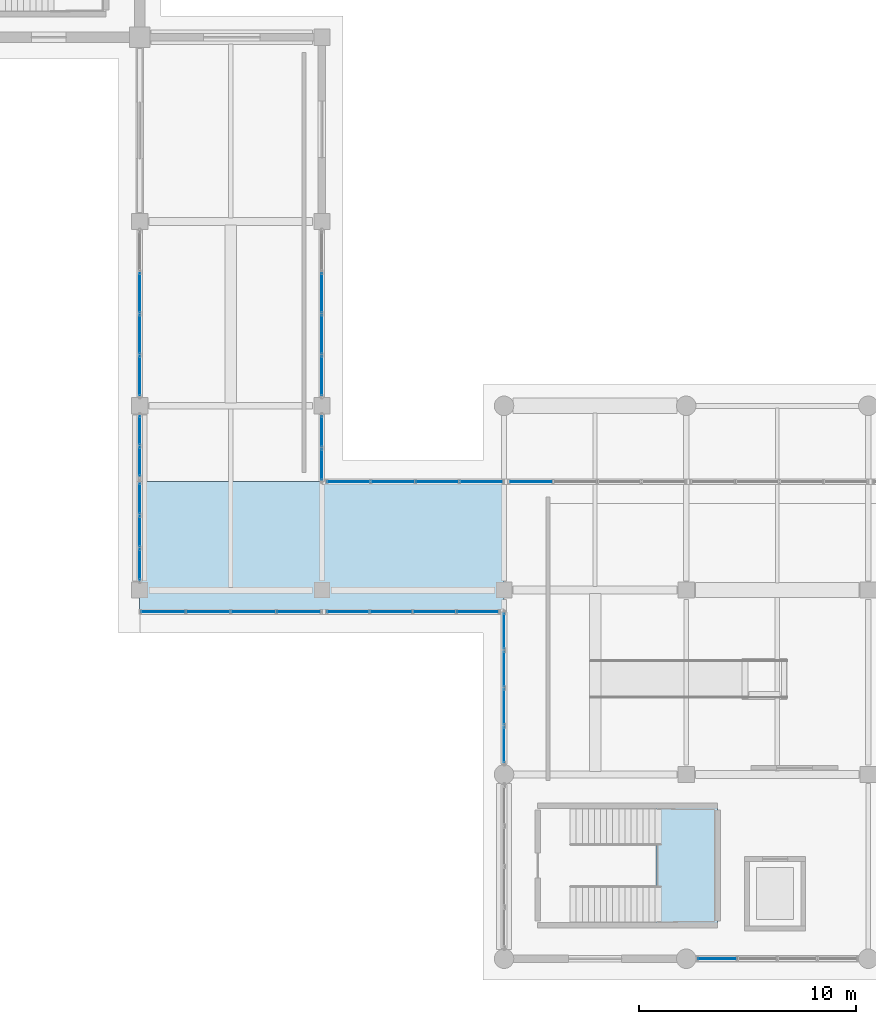
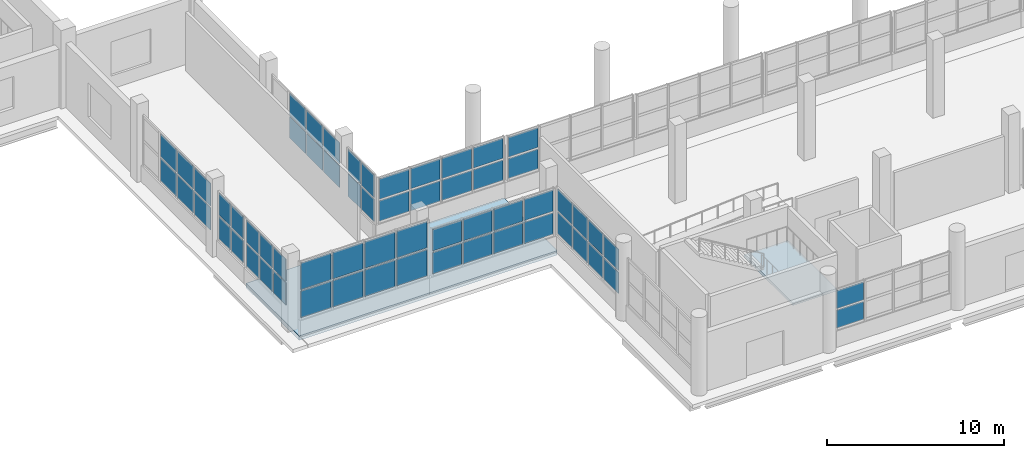
# One storey, part 80 of 107: 62 plates, 2 slabs, 12 elements without a shape of their own.
"""IFC4 building model written with IfcOpenShell, lengths in metres."""

from ifc_helpers import new_model, si_unit, direction, frame, origin, origin_2d, place, context, subcontext, project, spatial, polyline, rectangle, outline, extrude, material, layer, layer_set, type_object, element, aggregate, save


model = new_model("IFC4")

# Units and contexts
model_context = context("Model", 3, precision=1e-05, world=origin(), true_north=direction((0.0, 1.0)))
body_context = subcontext(model_context, "Body", "Model", "MODEL_VIEW")
ifc_project = project(units=[si_unit("LENGTHUNIT", "METRE"), si_unit("AREAUNIT", "SQUARE_METRE"), si_unit("VOLUMEUNIT", "CUBIC_METRE"), si_unit("PLANEANGLEUNIT", "RADIAN"), si_unit("MASSUNIT", "GRAM", prefix="KILO")], contexts=[model_context])

# Site, building, storey
site_placement = place(None, origin())
site = spatial("IfcSite", under=ifc_project, at=site_placement, CompositionType="ELEMENT")
building_placement = place(site_placement, origin())
building = spatial("IfcBuilding", under=site, at=building_placement, Name="Solvento Point Concert Hall", CompositionType="ELEMENT")
storey_placement = place(building_placement, origin())
storey = spatial("IfcBuildingStorey", under=building, at=storey_placement, Name="L00", CompositionType="ELEMENT", Elevation=0.0)

# Curtain wall, plates
ifc_material_1 = material(Name="Anodized Bronze Aluminium", Category="aluminium")
curtain_wall_type = type_object("IfcCurtainWallType", Name="CurtainWall_CafeVeranda", PredefinedType="USERDEFINED", material=ifc_material_1)
curtain_wall_1_placement = place(storey_placement, origin())
curtain_wall_1 = element("IfcCurtainWall", 1, at=curtain_wall_1_placement, inside=storey, type_object=curtain_wall_type, Name="Unitised curtain wall CW-42 UCW-L00-036", ObjectType="UNITISED CURTAIN WALL", PredefinedType="USERDEFINED")
ifc_material_2 = material(Name="Hurricane Laminated Low-E Glass", Category="glass")
plate_type = type_object("IfcPlateType", Name="CurtainPanel_CafeVeranda", PredefinedType="CURTAIN_PANEL", material=ifc_material_2)
plate_1_placement = place(storey_placement, frame((141.60009765625, 22.791259765625, 1.23974609375), z_axis=(0.0, 0.0, 1.0), x_axis=(0.0, 1.0, 0.0)))
plate_1 = element("IfcPlate", 2, at=plate_1_placement, type_object=plate_type, Name="Glazed curtain panel GL-04", PredefinedType="CURTAIN_PANEL", context=body_context, shape_type="SweptSolid", body=[
    extrude(rectangle(XDim=1.402587890625, YDim=0.0400390625, at=origin_2d()), origin(), (0.0, 0.0, 1.0), 1.547607421875),
])
plate_2_placement = place(storey_placement, frame((141.60009765625, 22.791259765625, 2.90771484375), z_axis=(0.0, 0.0, 1.0), x_axis=(0.0, 1.0, 0.0)))
plate_2 = element("IfcPlate", 3, at=plate_2_placement, type_object=plate_type, Name="Glazed curtain panel GL-04", PredefinedType="CURTAIN_PANEL", context=body_context, shape_type="SweptSolid", body=[
    extrude(rectangle(XDim=1.402587890625, YDim=0.0400390625, at=origin_2d()), origin(), (0.0, 0.0, 1.0), 1.547607421875),
])
plate_3_placement = place(storey_placement, frame((141.60009765625, 24.313720703125, 1.23974609375), z_axis=(0.0, 0.0, 1.0), x_axis=(0.0, 1.0, 0.0)))
plate_3 = element("IfcPlate", 4, at=plate_3_placement, type_object=plate_type, Name="Glazed curtain panel GL-04", PredefinedType="CURTAIN_PANEL", context=body_context, shape_type="SweptSolid", body=[
    extrude(rectangle(XDim=1.402587890625, YDim=0.0400390625, at=origin_2d()), origin(), (0.0, 0.0, 1.0), 1.547607421875),
])
plate_4_placement = place(storey_placement, frame((141.60009765625, 24.313720703125, 2.90771484375), z_axis=(0.0, 0.0, 1.0), x_axis=(0.0, 1.0, 0.0)))
plate_4 = element("IfcPlate", 5, at=plate_4_placement, type_object=plate_type, Name="Glazed curtain panel GL-04", PredefinedType="CURTAIN_PANEL", context=body_context, shape_type="SweptSolid", body=[
    extrude(rectangle(XDim=1.402587890625, YDim=0.0400390625, at=origin_2d()), origin(), (0.0, 0.0, 1.0), 1.547607421875),
])
aggregate(curtain_wall_1, [plate_1, plate_2, plate_3, plate_4])

curtain_wall_2_placement = place(storey_placement, origin())
curtain_wall_2 = element("IfcCurtainWall", 6, at=curtain_wall_2_placement, inside=storey, type_object=curtain_wall_type, Name="Unitised curtain wall CW-42 UCW-L00-037", ObjectType="UNITISED CURTAIN WALL", PredefinedType="USERDEFINED")
plate_5_placement = place(storey_placement, frame((141.60009765625, 26.88134765625, 1.239990234375), z_axis=(0.0, 0.0, 1.0), x_axis=(0.0, 1.0, 0.0)))
plate_5 = element("IfcPlate", 7, at=plate_5_placement, type_object=plate_type, Name="Glazed curtain panel GL-04", PredefinedType="CURTAIN_PANEL", context=body_context, shape_type="SweptSolid", body=[
    extrude(rectangle(XDim=1.79248046875, YDim=0.0400390625, at=origin_2d()), origin(), (0.0, 0.0, 1.0), 1.4755859375),
])
plate_6_placement = place(storey_placement, frame((141.60009765625, 26.88134765625, 2.83544921875), z_axis=(0.0, 0.0, 1.0), x_axis=(0.0, 1.0, 0.0)))
plate_6 = element("IfcPlate", 8, at=plate_6_placement, type_object=plate_type, Name="Glazed curtain panel GL-04", PredefinedType="CURTAIN_PANEL", context=body_context, shape_type="SweptSolid", body=[
    extrude(rectangle(XDim=1.79248046875, YDim=0.0400390625, at=origin_2d()), origin(), (0.0, 0.0, 1.0), 1.4755859375),
])
plate_7_placement = place(storey_placement, frame((141.60009765625, 28.793701171875, 1.239990234375), z_axis=(0.0, 0.0, 1.0), x_axis=(0.0, 1.0, 0.0)))
plate_7 = element("IfcPlate", 9, at=plate_7_placement, type_object=plate_type, Name="Glazed curtain panel GL-04", PredefinedType="CURTAIN_PANEL", context=body_context, shape_type="SweptSolid", body=[
    extrude(rectangle(XDim=1.79248046875, YDim=0.0400390625, at=origin_2d()), origin(), (0.0, 0.0, 1.0), 1.4755859375),
])
plate_8_placement = place(storey_placement, frame((141.60009765625, 28.793701171875, 2.83544921875), z_axis=(0.0, 0.0, 1.0), x_axis=(0.0, 1.0, 0.0)))
plate_8 = element("IfcPlate", 10, at=plate_8_placement, type_object=plate_type, Name="Glazed curtain panel GL-04", PredefinedType="CURTAIN_PANEL", context=body_context, shape_type="SweptSolid", body=[
    extrude(rectangle(XDim=1.79248046875, YDim=0.0400390625, at=origin_2d()), origin(), (0.0, 0.0, 1.0), 1.4755859375),
])
plate_9_placement = place(storey_placement, frame((141.60009765625, 30.706298828125, 1.239990234375), z_axis=(0.0, 0.0, 1.0), x_axis=(0.0, 1.0, 0.0)))
plate_9 = element("IfcPlate", 11, at=plate_9_placement, type_object=plate_type, Name="Glazed curtain panel GL-04", PredefinedType="CURTAIN_PANEL", context=body_context, shape_type="SweptSolid", body=[
    extrude(rectangle(XDim=1.79248046875, YDim=0.0400390625, at=origin_2d()), origin(), (0.0, 0.0, 1.0), 1.4755859375),
])
plate_10_placement = place(storey_placement, frame((141.60009765625, 30.706298828125, 2.83544921875), z_axis=(0.0, 0.0, 1.0), x_axis=(0.0, 1.0, 0.0)))
plate_10 = element("IfcPlate", 12, at=plate_10_placement, type_object=plate_type, Name="Glazed curtain panel GL-04", PredefinedType="CURTAIN_PANEL", context=body_context, shape_type="SweptSolid", body=[
    extrude(rectangle(XDim=1.79248046875, YDim=0.0400390625, at=origin_2d()), origin(), (0.0, 0.0, 1.0), 1.4755859375),
])
aggregate(curtain_wall_2, [plate_5, plate_6, plate_7, plate_8, plate_9, plate_10])

curtain_wall_3_placement = place(storey_placement, origin())
curtain_wall_3 = element("IfcCurtainWall", 13, at=curtain_wall_3_placement, inside=storey, type_object=curtain_wall_type, Name="Unitised curtain wall CW-42 UCW-L00-038", ObjectType="UNITISED CURTAIN WALL", PredefinedType="USERDEFINED")
plate_11_placement = place(storey_placement, frame((142.8388671875, 22.0, 1.239990234375), z_axis=(0.0, 0.0, 1.0), x_axis=(1.0, 0.0, 0.0)))
plate_11 = element("IfcPlate", 14, at=plate_11_placement, type_object=plate_type, Name="Glazed curtain panel GL-04", PredefinedType="CURTAIN_PANEL", context=body_context, shape_type="SweptSolid", body=[
    extrude(rectangle(XDim=1.91748046875, YDim=0.0400390625, at=origin_2d()), origin(), (0.0, 0.0, 1.0), 1.3955078125),
])
plate_12_placement = place(storey_placement, frame((142.8388671875, 22.0, 2.75537109375), z_axis=(0.0, 0.0, 1.0), x_axis=(1.0, 0.0, 0.0)))
plate_12 = element("IfcPlate", 15, at=plate_12_placement, type_object=plate_type, Name="Glazed curtain panel GL-04", PredefinedType="CURTAIN_PANEL", context=body_context, shape_type="SweptSolid", body=[
    extrude(rectangle(XDim=1.91748046875, YDim=0.0400390625, at=origin_2d()), origin(), (0.0, 0.0, 1.0), 1.3955078125),
])
plate_13_placement = place(storey_placement, frame((144.876220703125, 22.0, 1.239990234375), z_axis=(0.0, 0.0, 1.0), x_axis=(1.0, 0.0, 0.0)))
plate_13 = element("IfcPlate", 16, at=plate_13_placement, type_object=plate_type, Name="Glazed curtain panel GL-04", PredefinedType="CURTAIN_PANEL", context=body_context, shape_type="SweptSolid", body=[
    extrude(rectangle(XDim=1.91748046875, YDim=0.0400390625, at=origin_2d()), origin(), (0.0, 0.0, 1.0), 1.3955078125),
])
plate_14_placement = place(storey_placement, frame((144.876220703125, 22.0, 2.75537109375), z_axis=(0.0, 0.0, 1.0), x_axis=(1.0, 0.0, 0.0)))
plate_14 = element("IfcPlate", 17, at=plate_14_placement, type_object=plate_type, Name="Glazed curtain panel GL-04", PredefinedType="CURTAIN_PANEL", context=body_context, shape_type="SweptSolid", body=[
    extrude(rectangle(XDim=1.91748046875, YDim=0.0400390625, at=origin_2d()), origin(), (0.0, 0.0, 1.0), 1.3955078125),
])
plate_15_placement = place(storey_placement, frame((146.913818359375, 22.0, 1.239990234375), z_axis=(0.0, 0.0, 1.0), x_axis=(1.0, 0.0, 0.0)))
plate_15 = element("IfcPlate", 18, at=plate_15_placement, type_object=plate_type, Name="Glazed curtain panel GL-04", PredefinedType="CURTAIN_PANEL", context=body_context, shape_type="SweptSolid", body=[
    extrude(rectangle(XDim=1.91748046875, YDim=0.0400390625, at=origin_2d()), origin(), (0.0, 0.0, 1.0), 1.3955078125),
])
plate_16_placement = place(storey_placement, frame((146.913818359375, 22.0, 2.75537109375), z_axis=(0.0, 0.0, 1.0), x_axis=(1.0, 0.0, 0.0)))
plate_16 = element("IfcPlate", 19, at=plate_16_placement, type_object=plate_type, Name="Glazed curtain panel GL-04", PredefinedType="CURTAIN_PANEL", context=body_context, shape_type="SweptSolid", body=[
    extrude(rectangle(XDim=1.91748046875, YDim=0.0400390625, at=origin_2d()), origin(), (0.0, 0.0, 1.0), 1.3955078125),
])
plate_17_placement = place(storey_placement, frame((148.951171875, 22.0, 1.239990234375), z_axis=(0.0, 0.0, 1.0), x_axis=(1.0, 0.0, 0.0)))
plate_17 = element("IfcPlate", 20, at=plate_17_placement, type_object=plate_type, Name="Glazed curtain panel GL-04", PredefinedType="CURTAIN_PANEL", context=body_context, shape_type="SweptSolid", body=[
    extrude(rectangle(XDim=1.91748046875, YDim=0.0400390625, at=origin_2d()), origin(), (0.0, 0.0, 1.0), 1.3955078125),
])
plate_18_placement = place(storey_placement, frame((148.951171875, 22.0, 2.75537109375), z_axis=(0.0, 0.0, 1.0), x_axis=(1.0, 0.0, 0.0)))
plate_18 = element("IfcPlate", 21, at=plate_18_placement, type_object=plate_type, Name="Glazed curtain panel GL-04", PredefinedType="CURTAIN_PANEL", context=body_context, shape_type="SweptSolid", body=[
    extrude(rectangle(XDim=1.91748046875, YDim=0.0400390625, at=origin_2d()), origin(), (0.0, 0.0, 1.0), 1.3955078125),
])
aggregate(curtain_wall_3, [plate_11, plate_12, plate_13, plate_14, plate_15, plate_16, plate_17, plate_18])

curtain_wall_4_placement = place(storey_placement, origin())
curtain_wall_4 = element("IfcCurtainWall", 22, at=curtain_wall_4_placement, inside=storey, type_object=curtain_wall_type, Name="Unitised curtain wall CW-42 UCW-L00-039", ObjectType="UNITISED CURTAIN WALL", PredefinedType="USERDEFINED")
plate_19_placement = place(storey_placement, frame((151.23876953125, 22.0, 1.239990234375), z_axis=(0.0, 0.0, 1.0), x_axis=(1.0, 0.0, 0.0)))
plate_19 = element("IfcPlate", 23, at=plate_19_placement, type_object=plate_type, Name="Glazed curtain panel GL-04", PredefinedType="CURTAIN_PANEL", context=body_context, shape_type="SweptSolid", body=[
    extrude(rectangle(XDim=1.91748046875, YDim=0.0400390625, at=origin_2d()), origin(), (0.0, 0.0, 1.0), 1.35693359375),
])
plate_20_placement = place(storey_placement, frame((151.23876953125, 22.0, 2.717041015625), z_axis=(0.0, 0.0, 1.0), x_axis=(1.0, 0.0, 0.0)))
plate_20 = element("IfcPlate", 24, at=plate_20_placement, type_object=plate_type, Name="Glazed curtain panel GL-04", PredefinedType="CURTAIN_PANEL", context=body_context, shape_type="SweptSolid", body=[
    extrude(rectangle(XDim=1.91748046875, YDim=0.0400390625, at=origin_2d()), origin(), (0.0, 0.0, 1.0), 1.35693359375),
])
aggregate(curtain_wall_4, [plate_19, plate_20])

curtain_wall_5_placement = place(storey_placement, origin())
curtain_wall_5 = element("IfcCurtainWall", 25, at=curtain_wall_5_placement, inside=storey, type_object=curtain_wall_type, Name="Unitised curtain wall CW-42 UCW-L00-049", ObjectType="UNITISED CURTAIN WALL", PredefinedType="USERDEFINED")
plate_21_placement = place(storey_placement, frame((159.824951171875, 0.0, 1.239990234375), z_axis=(0.0, 0.0, 1.0), x_axis=(1.0, 0.0, 0.0)))
plate_21 = element("IfcPlate", 26, at=plate_21_placement, type_object=plate_type, Name="Glazed curtain panel GL-04", PredefinedType="CURTAIN_PANEL", context=body_context, shape_type="SweptSolid", body=[
    extrude(rectangle(XDim=1.72998046875, YDim=0.0400390625, at=origin_2d()), origin(), (0.0, 0.0, 1.0), 1.22900390625),
])
plate_22_placement = place(storey_placement, frame((159.824951171875, 0.0, 2.589111328125), z_axis=(0.0, 0.0, 1.0), x_axis=(1.0, 0.0, 0.0)))
plate_22 = element("IfcPlate", 27, at=plate_22_placement, type_object=plate_type, Name="Glazed curtain panel GL-04", PredefinedType="CURTAIN_PANEL", context=body_context, shape_type="SweptSolid", body=[
    extrude(rectangle(XDim=1.72998046875, YDim=0.0400390625, at=origin_2d()), origin(), (0.0, 0.0, 1.0), 1.22900390625),
])
aggregate(curtain_wall_5, [plate_21, plate_22])

curtain_wall_6_placement = place(storey_placement, origin())
curtain_wall_6 = element("IfcCurtainWall", 28, at=curtain_wall_6_placement, inside=storey, type_object=curtain_wall_type, Name="Unitised curtain wall CW-42 UCW-L00-053", ObjectType="UNITISED CURTAIN WALL", PredefinedType="USERDEFINED")
plate_23_placement = place(storey_placement, frame((150.0, 9.87109375, 1.240234375), z_axis=(0.0, 0.0, 1.0), x_axis=(0.0, 1.0, 0.0)))
plate_23 = element("IfcPlate", 29, at=plate_23_placement, type_object=plate_type, Name="Glazed curtain panel GL-04", PredefinedType="CURTAIN_PANEL", context=body_context, shape_type="SweptSolid", body=[
    extrude(rectangle(XDim=1.62255859375, YDim=0.0400390625, at=origin_2d()), origin(), (0.0, 0.0, 1.0), 1.467529296875),
])
plate_24_placement = place(storey_placement, frame((150.0, 9.87109375, 2.82763671875), z_axis=(0.0, 0.0, 1.0), x_axis=(0.0, 1.0, 0.0)))
plate_24 = element("IfcPlate", 30, at=plate_24_placement, type_object=plate_type, Name="Glazed curtain panel GL-04", PredefinedType="CURTAIN_PANEL", context=body_context, shape_type="SweptSolid", body=[
    extrude(rectangle(XDim=1.62255859375, YDim=0.0400390625, at=origin_2d()), origin(), (0.0, 0.0, 1.0), 1.467529296875),
])
plate_25_placement = place(storey_placement, frame((150.0, 11.61376953125, 1.240234375), z_axis=(0.0, 0.0, 1.0), x_axis=(0.0, 1.0, 0.0)))
plate_25 = element("IfcPlate", 31, at=plate_25_placement, type_object=plate_type, Name="Glazed curtain panel GL-04", PredefinedType="CURTAIN_PANEL", context=body_context, shape_type="SweptSolid", body=[
    extrude(rectangle(XDim=1.62255859375, YDim=0.0400390625, at=origin_2d()), origin(), (0.0, 0.0, 1.0), 1.467529296875),
])
plate_26_placement = place(storey_placement, frame((150.0, 11.61376953125, 2.82763671875), z_axis=(0.0, 0.0, 1.0), x_axis=(0.0, 1.0, 0.0)))
plate_26 = element("IfcPlate", 32, at=plate_26_placement, type_object=plate_type, Name="Glazed curtain panel GL-04", PredefinedType="CURTAIN_PANEL", context=body_context, shape_type="SweptSolid", body=[
    extrude(rectangle(XDim=1.62255859375, YDim=0.0400390625, at=origin_2d()), origin(), (0.0, 0.0, 1.0), 1.467529296875),
])
plate_27_placement = place(storey_placement, frame((150.0, 13.356201171875, 1.240234375), z_axis=(0.0, 0.0, 1.0), x_axis=(0.0, 1.0, 0.0)))
plate_27 = element("IfcPlate", 33, at=plate_27_placement, type_object=plate_type, Name="Glazed curtain panel GL-04", PredefinedType="CURTAIN_PANEL", context=body_context, shape_type="SweptSolid", body=[
    extrude(rectangle(XDim=1.62255859375, YDim=0.0400390625, at=origin_2d()), origin(), (0.0, 0.0, 1.0), 1.467529296875),
])
plate_28_placement = place(storey_placement, frame((150.0, 13.356201171875, 2.82763671875), z_axis=(0.0, 0.0, 1.0), x_axis=(0.0, 1.0, 0.0)))
plate_28 = element("IfcPlate", 34, at=plate_28_placement, type_object=plate_type, Name="Glazed curtain panel GL-04", PredefinedType="CURTAIN_PANEL", context=body_context, shape_type="SweptSolid", body=[
    extrude(rectangle(XDim=1.62255859375, YDim=0.0400390625, at=origin_2d()), origin(), (0.0, 0.0, 1.0), 1.467529296875),
])
plate_29_placement = place(storey_placement, frame((150.0, 15.098876953125, 1.240234375), z_axis=(0.0, 0.0, 1.0), x_axis=(0.0, 1.0, 0.0)))
plate_29 = element("IfcPlate", 35, at=plate_29_placement, type_object=plate_type, Name="Glazed curtain panel GL-04", PredefinedType="CURTAIN_PANEL", context=body_context, shape_type="SweptSolid", body=[
    extrude(rectangle(XDim=1.62255859375, YDim=0.0400390625, at=origin_2d()), origin(), (0.0, 0.0, 1.0), 1.467529296875),
])
plate_30_placement = place(storey_placement, frame((150.0, 15.098876953125, 2.82763671875), z_axis=(0.0, 0.0, 1.0), x_axis=(0.0, 1.0, 0.0)))
plate_30 = element("IfcPlate", 36, at=plate_30_placement, type_object=plate_type, Name="Glazed curtain panel GL-04", PredefinedType="CURTAIN_PANEL", context=body_context, shape_type="SweptSolid", body=[
    extrude(rectangle(XDim=1.62255859375, YDim=0.0400390625, at=origin_2d()), origin(), (0.0, 0.0, 1.0), 1.467529296875),
])
aggregate(curtain_wall_6, [plate_23, plate_24, plate_25, plate_26, plate_27, plate_28, plate_29, plate_30])

curtain_wall_7_placement = place(storey_placement, origin())
curtain_wall_7 = element("IfcCurtainWall", 37, at=curtain_wall_7_placement, inside=storey, type_object=curtain_wall_type, Name="Unitised curtain wall CW-42 UCW-L00-054", ObjectType="UNITISED CURTAIN WALL", PredefinedType="USERDEFINED")
plate_31_placement = place(storey_placement, frame((134.2724609375, 16.0, 1.23974609375), z_axis=(0.0, 0.0, 1.0), x_axis=(1.0, 0.0, 0.0)))
plate_31 = element("IfcPlate", 38, at=plate_31_placement, type_object=plate_type, Name="Glazed curtain panel GL-04", PredefinedType="CURTAIN_PANEL", context=body_context, shape_type="SweptSolid", body=[
    extrude(rectangle(XDim=1.965087890625, YDim=0.0400390625, at=origin_2d()), origin(), (0.0, 0.0, 1.0), 1.820068359375),
])
plate_32_placement = place(storey_placement, frame((134.2724609375, 16.0, 3.18017578125), z_axis=(0.0, 0.0, 1.0), x_axis=(1.0, 0.0, 0.0)))
plate_32 = element("IfcPlate", 39, at=plate_32_placement, type_object=plate_type, Name="Glazed curtain panel GL-04", PredefinedType="CURTAIN_PANEL", context=body_context, shape_type="SweptSolid", body=[
    extrude(rectangle(XDim=1.965087890625, YDim=0.0400390625, at=origin_2d()), origin(), (0.0, 0.0, 1.0), 1.820068359375),
])
plate_33_placement = place(storey_placement, frame((136.357421875, 16.0, 1.23974609375), z_axis=(0.0, 0.0, 1.0), x_axis=(1.0, 0.0, 0.0)))
plate_33 = element("IfcPlate", 40, at=plate_33_placement, type_object=plate_type, Name="Glazed curtain panel GL-04", PredefinedType="CURTAIN_PANEL", context=body_context, shape_type="SweptSolid", body=[
    extrude(rectangle(XDim=1.965087890625, YDim=0.0400390625, at=origin_2d()), origin(), (0.0, 0.0, 1.0), 1.820068359375),
])
plate_34_placement = place(storey_placement, frame((136.357421875, 16.0, 3.18017578125), z_axis=(0.0, 0.0, 1.0), x_axis=(1.0, 0.0, 0.0)))
plate_34 = element("IfcPlate", 41, at=plate_34_placement, type_object=plate_type, Name="Glazed curtain panel GL-04", PredefinedType="CURTAIN_PANEL", context=body_context, shape_type="SweptSolid", body=[
    extrude(rectangle(XDim=1.965087890625, YDim=0.0400390625, at=origin_2d()), origin(), (0.0, 0.0, 1.0), 1.820068359375),
])
plate_35_placement = place(storey_placement, frame((138.4423828125, 16.0, 1.23974609375), z_axis=(0.0, 0.0, 1.0), x_axis=(1.0, 0.0, 0.0)))
plate_35 = element("IfcPlate", 42, at=plate_35_placement, type_object=plate_type, Name="Glazed curtain panel GL-04", PredefinedType="CURTAIN_PANEL", context=body_context, shape_type="SweptSolid", body=[
    extrude(rectangle(XDim=1.965087890625, YDim=0.0400390625, at=origin_2d()), origin(), (0.0, 0.0, 1.0), 1.820068359375),
])
plate_36_placement = place(storey_placement, frame((138.4423828125, 16.0, 3.18017578125), z_axis=(0.0, 0.0, 1.0), x_axis=(1.0, 0.0, 0.0)))
plate_36 = element("IfcPlate", 43, at=plate_36_placement, type_object=plate_type, Name="Glazed curtain panel GL-04", PredefinedType="CURTAIN_PANEL", context=body_context, shape_type="SweptSolid", body=[
    extrude(rectangle(XDim=1.965087890625, YDim=0.0400390625, at=origin_2d()), origin(), (0.0, 0.0, 1.0), 1.820068359375),
])
plate_37_placement = place(storey_placement, frame((140.527587890625, 16.0, 1.23974609375), z_axis=(0.0, 0.0, 1.0), x_axis=(1.0, 0.0, 0.0)))
plate_37 = element("IfcPlate", 44, at=plate_37_placement, type_object=plate_type, Name="Glazed curtain panel GL-04", PredefinedType="CURTAIN_PANEL", context=body_context, shape_type="SweptSolid", body=[
    extrude(rectangle(XDim=1.965087890625, YDim=0.0400390625, at=origin_2d()), origin(), (0.0, 0.0, 1.0), 1.820068359375),
])
plate_38_placement = place(storey_placement, frame((140.527587890625, 16.0, 3.18017578125), z_axis=(0.0, 0.0, 1.0), x_axis=(1.0, 0.0, 0.0)))
plate_38 = element("IfcPlate", 45, at=plate_38_placement, type_object=plate_type, Name="Glazed curtain panel GL-04", PredefinedType="CURTAIN_PANEL", context=body_context, shape_type="SweptSolid", body=[
    extrude(rectangle(XDim=1.965087890625, YDim=0.0400390625, at=origin_2d()), origin(), (0.0, 0.0, 1.0), 1.820068359375),
])
aggregate(curtain_wall_7, [plate_31, plate_32, plate_33, plate_34, plate_35, plate_36, plate_37, plate_38])

curtain_wall_8_placement = place(storey_placement, origin())
curtain_wall_8 = element("IfcCurtainWall", 46, at=curtain_wall_8_placement, inside=storey, type_object=curtain_wall_type, Name="Unitised curtain wall CW-42 UCW-L00-055", ObjectType="UNITISED CURTAIN WALL", PredefinedType="USERDEFINED")
plate_39_placement = place(storey_placement, frame((142.81494140625, 16.0, 1.240234375), z_axis=(0.0, 0.0, 1.0), x_axis=(1.0, 0.0, 0.0)))
plate_39 = element("IfcPlate", 47, at=plate_39_placement, type_object=plate_type, Name="Glazed curtain panel GL-04", PredefinedType="CURTAIN_PANEL", context=body_context, shape_type="SweptSolid", body=[
    extrude(rectangle(XDim=1.8701171875, YDim=0.0400390625, at=origin_2d()), origin(), (0.0, 0.0, 1.0), 1.467529296875),
])
plate_40_placement = place(storey_placement, frame((142.81494140625, 16.0, 2.82763671875), z_axis=(0.0, 0.0, 1.0), x_axis=(1.0, 0.0, 0.0)))
plate_40 = element("IfcPlate", 48, at=plate_40_placement, type_object=plate_type, Name="Glazed curtain panel GL-04", PredefinedType="CURTAIN_PANEL", context=body_context, shape_type="SweptSolid", body=[
    extrude(rectangle(XDim=1.8701171875, YDim=0.0400390625, at=origin_2d()), origin(), (0.0, 0.0, 1.0), 1.467529296875),
])
plate_41_placement = place(storey_placement, frame((144.804931640625, 16.0, 1.240234375), z_axis=(0.0, 0.0, 1.0), x_axis=(1.0, 0.0, 0.0)))
plate_41 = element("IfcPlate", 49, at=plate_41_placement, type_object=plate_type, Name="Glazed curtain panel GL-04", PredefinedType="CURTAIN_PANEL", context=body_context, shape_type="SweptSolid", body=[
    extrude(rectangle(XDim=1.8701171875, YDim=0.0400390625, at=origin_2d()), origin(), (0.0, 0.0, 1.0), 1.467529296875),
])
plate_42_placement = place(storey_placement, frame((144.804931640625, 16.0, 2.82763671875), z_axis=(0.0, 0.0, 1.0), x_axis=(1.0, 0.0, 0.0)))
plate_42 = element("IfcPlate", 50, at=plate_42_placement, type_object=plate_type, Name="Glazed curtain panel GL-04", PredefinedType="CURTAIN_PANEL", context=body_context, shape_type="SweptSolid", body=[
    extrude(rectangle(XDim=1.8701171875, YDim=0.0400390625, at=origin_2d()), origin(), (0.0, 0.0, 1.0), 1.467529296875),
])
plate_43_placement = place(storey_placement, frame((146.794921875, 16.0, 1.240234375), z_axis=(0.0, 0.0, 1.0), x_axis=(1.0, 0.0, 0.0)))
plate_43 = element("IfcPlate", 51, at=plate_43_placement, type_object=plate_type, Name="Glazed curtain panel GL-04", PredefinedType="CURTAIN_PANEL", context=body_context, shape_type="SweptSolid", body=[
    extrude(rectangle(XDim=1.8701171875, YDim=0.0400390625, at=origin_2d()), origin(), (0.0, 0.0, 1.0), 1.467529296875),
])
plate_44_placement = place(storey_placement, frame((146.794921875, 16.0, 2.82763671875), z_axis=(0.0, 0.0, 1.0), x_axis=(1.0, 0.0, 0.0)))
plate_44 = element("IfcPlate", 52, at=plate_44_placement, type_object=plate_type, Name="Glazed curtain panel GL-04", PredefinedType="CURTAIN_PANEL", context=body_context, shape_type="SweptSolid", body=[
    extrude(rectangle(XDim=1.8701171875, YDim=0.0400390625, at=origin_2d()), origin(), (0.0, 0.0, 1.0), 1.467529296875),
])
plate_45_placement = place(storey_placement, frame((148.784912109375, 16.0, 1.240234375), z_axis=(0.0, 0.0, 1.0), x_axis=(1.0, 0.0, 0.0)))
plate_45 = element("IfcPlate", 53, at=plate_45_placement, type_object=plate_type, Name="Glazed curtain panel GL-04", PredefinedType="CURTAIN_PANEL", context=body_context, shape_type="SweptSolid", body=[
    extrude(rectangle(XDim=1.8701171875, YDim=0.0400390625, at=origin_2d()), origin(), (0.0, 0.0, 1.0), 1.467529296875),
])
plate_46_placement = place(storey_placement, frame((148.784912109375, 16.0, 2.82763671875), z_axis=(0.0, 0.0, 1.0), x_axis=(1.0, 0.0, 0.0)))
plate_46 = element("IfcPlate", 54, at=plate_46_placement, type_object=plate_type, Name="Glazed curtain panel GL-04", PredefinedType="CURTAIN_PANEL", context=body_context, shape_type="SweptSolid", body=[
    extrude(rectangle(XDim=1.8701171875, YDim=0.0400390625, at=origin_2d()), origin(), (0.0, 0.0, 1.0), 1.467529296875),
])
aggregate(curtain_wall_8, [plate_39, plate_40, plate_41, plate_42, plate_43, plate_44, plate_45, plate_46])

curtain_wall_9_placement = place(storey_placement, origin())
curtain_wall_9 = element("IfcCurtainWall", 55, at=curtain_wall_9_placement, inside=storey, type_object=curtain_wall_type, Name="Unitised curtain wall CW-42 UCW-L00-056", ObjectType="UNITISED CURTAIN WALL", PredefinedType="USERDEFINED")
plate_47_placement = place(storey_placement, frame((133.199951171875, 18.1826171875, 1.239990234375), z_axis=(0.0, 0.0, 1.0), x_axis=(0.0, 1.0, 0.0)))
plate_47 = element("IfcPlate", 56, at=plate_47_placement, type_object=plate_type, Name="Glazed curtain panel GL-04", PredefinedType="CURTAIN_PANEL", context=body_context, shape_type="SweptSolid", body=[
    extrude(rectangle(XDim=1.39501953125, YDim=0.0400390625, at=origin_2d()), origin(), (0.0, 0.0, 1.0), 1.51806640625),
])
plate_48_placement = place(storey_placement, frame((133.199951171875, 18.1826171875, 2.8779296875), z_axis=(0.0, 0.0, 1.0), x_axis=(0.0, 1.0, 0.0)))
plate_48 = element("IfcPlate", 57, at=plate_48_placement, type_object=plate_type, Name="Glazed curtain panel GL-04", PredefinedType="CURTAIN_PANEL", context=body_context, shape_type="SweptSolid", body=[
    extrude(rectangle(XDim=1.39501953125, YDim=0.0400390625, at=origin_2d()), origin(), (0.0, 0.0, 1.0), 1.51806640625),
])
plate_49_placement = place(storey_placement, frame((133.199951171875, 19.697509765625, 1.239990234375), z_axis=(0.0, 0.0, 1.0), x_axis=(0.0, 1.0, 0.0)))
plate_49 = element("IfcPlate", 58, at=plate_49_placement, type_object=plate_type, Name="Glazed curtain panel GL-04", PredefinedType="CURTAIN_PANEL", context=body_context, shape_type="SweptSolid", body=[
    extrude(rectangle(XDim=1.39501953125, YDim=0.0400390625, at=origin_2d()), origin(), (0.0, 0.0, 1.0), 1.51806640625),
])
plate_50_placement = place(storey_placement, frame((133.199951171875, 19.697509765625, 2.8779296875), z_axis=(0.0, 0.0, 1.0), x_axis=(0.0, 1.0, 0.0)))
plate_50 = element("IfcPlate", 59, at=plate_50_placement, type_object=plate_type, Name="Glazed curtain panel GL-04", PredefinedType="CURTAIN_PANEL", context=body_context, shape_type="SweptSolid", body=[
    extrude(rectangle(XDim=1.39501953125, YDim=0.0400390625, at=origin_2d()), origin(), (0.0, 0.0, 1.0), 1.51806640625),
])
plate_51_placement = place(storey_placement, frame((133.199951171875, 21.21240234375, 1.239990234375), z_axis=(0.0, 0.0, 1.0), x_axis=(0.0, 1.0, 0.0)))
plate_51 = element("IfcPlate", 60, at=plate_51_placement, type_object=plate_type, Name="Glazed curtain panel GL-04", PredefinedType="CURTAIN_PANEL", context=body_context, shape_type="SweptSolid", body=[
    extrude(rectangle(XDim=1.39501953125, YDim=0.0400390625, at=origin_2d()), origin(), (0.0, 0.0, 1.0), 1.51806640625),
])
plate_52_placement = place(storey_placement, frame((133.199951171875, 21.21240234375, 2.8779296875), z_axis=(0.0, 0.0, 1.0), x_axis=(0.0, 1.0, 0.0)))
plate_52 = element("IfcPlate", 61, at=plate_52_placement, type_object=plate_type, Name="Glazed curtain panel GL-04", PredefinedType="CURTAIN_PANEL", context=body_context, shape_type="SweptSolid", body=[
    extrude(rectangle(XDim=1.39501953125, YDim=0.0400390625, at=origin_2d()), origin(), (0.0, 0.0, 1.0), 1.51806640625),
])
aggregate(curtain_wall_9, [plate_47, plate_48, plate_49, plate_50, plate_51, plate_52])

curtain_wall_10_placement = place(storey_placement, origin())
curtain_wall_10 = element("IfcCurtainWall", 62, at=curtain_wall_10_placement, inside=storey, type_object=curtain_wall_type, Name="Unitised curtain wall CW-42 UCW-L00-057", ObjectType="UNITISED CURTAIN WALL", PredefinedType="USERDEFINED")
plate_53_placement = place(storey_placement, frame((133.199951171875, 22.93359375, 1.239990234375), z_axis=(0.0, 0.0, 1.0), x_axis=(0.0, 1.0, 0.0)))
plate_53 = element("IfcPlate", 63, at=plate_53_placement, type_object=plate_type, Name="Glazed curtain panel GL-04", PredefinedType="CURTAIN_PANEL", context=body_context, shape_type="SweptSolid", body=[
    extrude(rectangle(XDim=1.3076171875, YDim=0.0400390625, at=origin_2d()), origin(), (0.0, 0.0, 1.0), 1.51806640625),
])
plate_54_placement = place(storey_placement, frame((133.199951171875, 22.93359375, 2.8779296875), z_axis=(0.0, 0.0, 1.0), x_axis=(0.0, 1.0, 0.0)))
plate_54 = element("IfcPlate", 64, at=plate_54_placement, type_object=plate_type, Name="Glazed curtain panel GL-04", PredefinedType="CURTAIN_PANEL", context=body_context, shape_type="SweptSolid", body=[
    extrude(rectangle(XDim=1.3076171875, YDim=0.0400390625, at=origin_2d()), origin(), (0.0, 0.0, 1.0), 1.51806640625),
])
plate_55_placement = place(storey_placement, frame((133.199951171875, 24.361083984375, 1.239990234375), z_axis=(0.0, 0.0, 1.0), x_axis=(0.0, 1.0, 0.0)))
plate_55 = element("IfcPlate", 65, at=plate_55_placement, type_object=plate_type, Name="Glazed curtain panel GL-04", PredefinedType="CURTAIN_PANEL", context=body_context, shape_type="SweptSolid", body=[
    extrude(rectangle(XDim=1.3076171875, YDim=0.0400390625, at=origin_2d()), origin(), (0.0, 0.0, 1.0), 1.51806640625),
])
plate_56_placement = place(storey_placement, frame((133.199951171875, 24.361083984375, 2.8779296875), z_axis=(0.0, 0.0, 1.0), x_axis=(0.0, 1.0, 0.0)))
plate_56 = element("IfcPlate", 66, at=plate_56_placement, type_object=plate_type, Name="Glazed curtain panel GL-04", PredefinedType="CURTAIN_PANEL", context=body_context, shape_type="SweptSolid", body=[
    extrude(rectangle(XDim=1.3076171875, YDim=0.0400390625, at=origin_2d()), origin(), (0.0, 0.0, 1.0), 1.51806640625),
])
aggregate(curtain_wall_10, [plate_53, plate_54, plate_55, plate_56])

curtain_wall_11_placement = place(storey_placement, origin())
curtain_wall_11 = element("IfcCurtainWall", 67, at=curtain_wall_11_placement, inside=storey, type_object=curtain_wall_type, Name="Unitised curtain wall CW-42 UCW-L00-058", ObjectType="UNITISED CURTAIN WALL", PredefinedType="USERDEFINED")
plate_57_placement = place(storey_placement, frame((133.199951171875, 26.88134765625, 1.23974609375), z_axis=(0.0, 0.0, 1.0), x_axis=(0.0, 1.0, 0.0)))
plate_57 = element("IfcPlate", 68, at=plate_57_placement, type_object=plate_type, Name="Glazed curtain panel GL-04", PredefinedType="CURTAIN_PANEL", context=body_context, shape_type="SweptSolid", body=[
    extrude(rectangle(XDim=1.79248046875, YDim=0.0400390625, at=origin_2d()), origin(), (0.0, 0.0, 1.0), 1.547607421875),
])
plate_58_placement = place(storey_placement, frame((133.199951171875, 26.88134765625, 2.90771484375), z_axis=(0.0, 0.0, 1.0), x_axis=(0.0, 1.0, 0.0)))
plate_58 = element("IfcPlate", 69, at=plate_58_placement, type_object=plate_type, Name="Glazed curtain panel GL-04", PredefinedType="CURTAIN_PANEL", context=body_context, shape_type="SweptSolid", body=[
    extrude(rectangle(XDim=1.79248046875, YDim=0.0400390625, at=origin_2d()), origin(), (0.0, 0.0, 1.0), 1.547607421875),
])
plate_59_placement = place(storey_placement, frame((133.199951171875, 28.793701171875, 1.23974609375), z_axis=(0.0, 0.0, 1.0), x_axis=(0.0, 1.0, 0.0)))
plate_59 = element("IfcPlate", 70, at=plate_59_placement, type_object=plate_type, Name="Glazed curtain panel GL-04", PredefinedType="CURTAIN_PANEL", context=body_context, shape_type="SweptSolid", body=[
    extrude(rectangle(XDim=1.79248046875, YDim=0.0400390625, at=origin_2d()), origin(), (0.0, 0.0, 1.0), 1.547607421875),
])
plate_60_placement = place(storey_placement, frame((133.199951171875, 28.793701171875, 2.90771484375), z_axis=(0.0, 0.0, 1.0), x_axis=(0.0, 1.0, 0.0)))
plate_60 = element("IfcPlate", 71, at=plate_60_placement, type_object=plate_type, Name="Glazed curtain panel GL-04", PredefinedType="CURTAIN_PANEL", context=body_context, shape_type="SweptSolid", body=[
    extrude(rectangle(XDim=1.79248046875, YDim=0.0400390625, at=origin_2d()), origin(), (0.0, 0.0, 1.0), 1.547607421875),
])
plate_61_placement = place(storey_placement, frame((133.199951171875, 30.706298828125, 1.23974609375), z_axis=(0.0, 0.0, 1.0), x_axis=(0.0, 1.0, 0.0)))
plate_61 = element("IfcPlate", 72, at=plate_61_placement, type_object=plate_type, Name="Glazed curtain panel GL-04", PredefinedType="CURTAIN_PANEL", context=body_context, shape_type="SweptSolid", body=[
    extrude(rectangle(XDim=1.79248046875, YDim=0.0400390625, at=origin_2d()), origin(), (0.0, 0.0, 1.0), 1.547607421875),
])
plate_62_placement = place(storey_placement, frame((133.199951171875, 30.706298828125, 2.90771484375), z_axis=(0.0, 0.0, 1.0), x_axis=(0.0, 1.0, 0.0)))
plate_62 = element("IfcPlate", 73, at=plate_62_placement, type_object=plate_type, Name="Glazed curtain panel GL-04", PredefinedType="CURTAIN_PANEL", context=body_context, shape_type="SweptSolid", body=[
    extrude(rectangle(XDim=1.79248046875, YDim=0.0400390625, at=origin_2d()), origin(), (0.0, 0.0, 1.0), 1.547607421875),
])
aggregate(curtain_wall_11, [plate_57, plate_58, plate_59, plate_60, plate_61, plate_62])

# Slab
ifc_material_3 = material(Name="Concrete C35/45", Category="concrete")
ifc_layer_1 = layer(ifc_material_3, 0.300048828125)
ifc_layer_set_1 = layer_set([ifc_layer_1], Name="Concrete C35/45")
slab_type_1 = type_object("IfcSlabType", Name="FloorSlab_300", PredefinedType="FLOOR", material=ifc_layer_set_1)
slab_1_placement = place(storey_placement, frame((0.0, 0.0, -0.300048828125)))
element("IfcSlab", 74, at=slab_1_placement, inside=storey, type_object=slab_type_1, Name="Structural slab SL-L00 SLAB-L00-V3L", PredefinedType="FLOOR", context=body_context, shape_type="SweptSolid", body=[
    extrude(outline(polyline([(133.199951171875, 22.0), (150.0, 22.0), (150.0, 16.0), (133.199951171875, 16.0), (133.199951171875, 22.0)])), origin(), (0.0, 0.0, 1.0), 0.300048828125),
])

# Stair, slab
ifc_material_4 = material(Name="Concrete C35/45", Category="concrete")
stair_type = type_object("IfcStairType", Name="CoreStair_1680", PredefinedType="HALF_TURN_STAIR", material=ifc_material_4)
stair_placement = place(storey_placement, origin())
stair = element("IfcStair", 75, at=stair_placement, inside=storey, type_object=stair_type, Name="Protected exit stair ST-08 (L00 to L01)", PredefinedType="HALF_TURN_STAIR")
ifc_material_5 = material(Name="Concrete C35/45", Category="concrete")
ifc_layer_2 = layer(ifc_material_5, 0.179931640625)
ifc_layer_set_2 = layer_set([ifc_layer_2], Name="Concrete C35/45")
slab_type_2 = type_object("IfcSlabType", Name="StairLanding_180", PredefinedType="LANDING", material=ifc_layer_set_2)
slab_2_placement = place(storey_placement, frame((0.0, 0.0, 2.52001953125)))
slab_2 = element("IfcSlab", 76, at=slab_2_placement, type_object=slab_type_2, Name="Stair half-landing ST-08 L00", PredefinedType="LANDING", context=body_context, shape_type="SweptSolid", body=[
    extrude(outline(polyline([(157.0, 1.56005859375), (159.840087890625, 1.56005859375), (159.840087890625, 7.0400390625), (157.0, 7.0400390625), (157.0, 1.56005859375)])), origin(), (0.0, 0.0, 1.0), 0.179931640625),
])
aggregate(stair, [slab_2])

save(model, "model.ifc")
